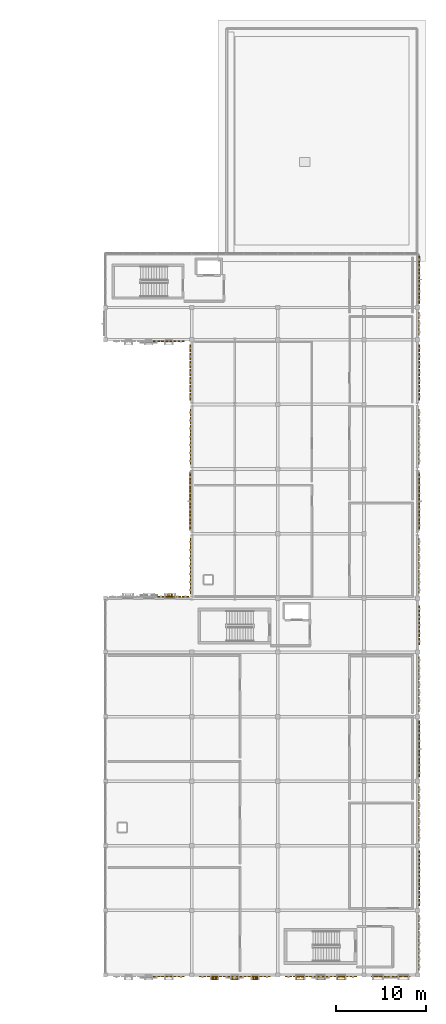
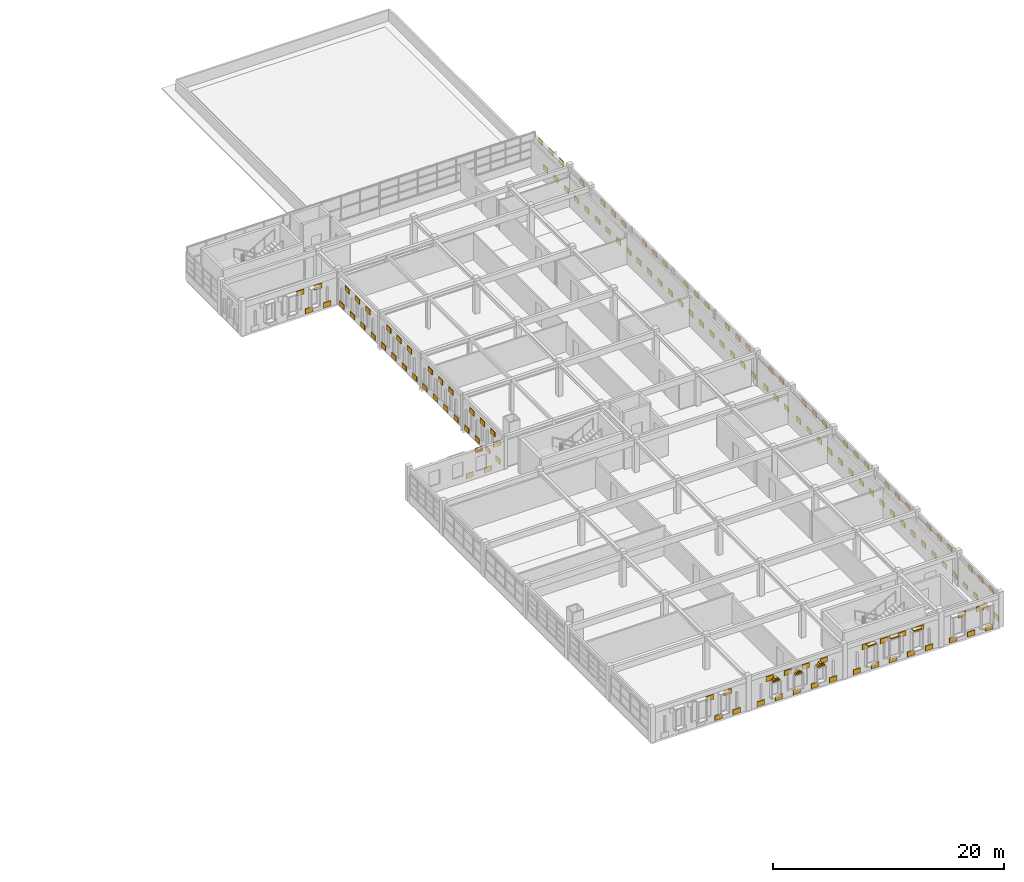
# One storey, part 53 of 53: 154 coverings.
"""IFC4 building model written with IfcOpenShell, lengths in metres."""

from ifc_helpers import new_model, si_unit, direction, frame, origin, origin_2d, place, context, subcontext, project, spatial, rectangle, extrude, material, layer, layer_set, type_object, element, save


model = new_model("IFC4")

# Units and contexts
model_context = context("Model", 3, precision=1e-05, world=origin(), true_north=direction((0.0, 1.0)))
body_context = subcontext(model_context, "Body", "Model", "MODEL_VIEW")
ifc_project = project(units=[si_unit("LENGTHUNIT", "METRE"), si_unit("AREAUNIT", "SQUARE_METRE"), si_unit("VOLUMEUNIT", "CUBIC_METRE"), si_unit("PLANEANGLEUNIT", "RADIAN"), si_unit("MASSUNIT", "GRAM", prefix="KILO")], contexts=[model_context])

# Site, building, storey
site_placement = place(None, origin())
site = spatial("IfcSite", under=ifc_project, at=site_placement, CompositionType="ELEMENT")
building_placement = place(site_placement, origin())
building = spatial("IfcBuilding", under=site, at=building_placement, Name="Nzembalo Square Collegiate School", CompositionType="ELEMENT")
storey_placement = place(building_placement, frame((0.0, 0.0, 13.60009765625)))
storey = spatial("IfcBuildingStorey", under=building, at=storey_placement, Name="L03", CompositionType="ELEMENT", Elevation=13.60009765625)

# Coverings
ifc_material_1 = material(Name="Glazed cobalt ceramic patterned tile")
ifc_layer_1 = layer(ifc_material_1, 0.074951171875, Name="Glazed cobalt ceramic patterned tile")
ifc_layer_set_1 = layer_set([ifc_layer_1], Name="Glazed cobalt ceramic patterned tile")
covering_type_1 = type_object("IfcCoveringType", Name="CL01", PredefinedType="CLADDING", material=ifc_layer_set_1)
for number, where, z_axis, x_axis, name in (
    (1, (136.9951171875, 50.56005859375, 0.099853515625), (0.0, 0.0, 1.0), (1.0, 0.0, 0.0), "Patterned ceramic tile CL01-X0198-6-0"),
    (2, (137.89501953125, 50.56005859375, 2.458984375), (0.0, 0.0, 1.0), (1.0, 0.0, 0.0), "Patterned ceramic tile CL01-X0198-7-1"),
    (3, (138.794921875, 50.56005859375, 0.099853515625), (0.0, 0.0, 1.0), (1.0, 0.0, 0.0), "Patterned ceramic tile CL01-X0198-8-0"),
    (4, (139.695068359375, 50.56005859375, 2.458984375), (0.0, 0.0, 1.0), (1.0, 0.0, 0.0), "Patterned ceramic tile CL01-X0198-9-1"),
):
    element("IfcCovering", number, at=place(storey_placement, frame(where, z_axis=z_axis, x_axis=x_axis)), inside=storey, type_object=covering_type_1, Name=name, PredefinedType="CLADDING", context=body_context, shape_type="SweptSolid", body=[
        extrude(rectangle(XDim=0.739990234375, YDim=0.074951171875, at=origin_2d()), origin(), (0.0, 0.0, 1.0), 0.52001953125),
    ])
for number, where, z_axis, x_axis, name in (
    (5, (140.25, 51.300048828125, 0.099853515625), (0.0, 0.0, 1.0), (1.0, 0.0, 0.0), "Patterned ceramic tile CL01-Y0199-0-0"),
    (6, (140.25, 52.199951171875, 2.458984375), (0.0, 0.0, 1.0), (1.0, 0.0, 0.0), "Patterned ceramic tile CL01-Y0199-1-1"),
    (7, (140.25, 53.10009765625, 0.099853515625), (0.0, 0.0, 1.0), (1.0, 0.0, 0.0), "Patterned ceramic tile CL01-Y0199-2-0"),
    (8, (140.25, 54.0, 2.458984375), (0.0, 0.0, 1.0), (1.0, 0.0, 0.0), "Patterned ceramic tile CL01-Y0199-3-1"),
    (9, (140.25, 54.89990234375, 0.099853515625), (0.0, 0.0, 1.0), (1.0, 0.0, 0.0), "Patterned ceramic tile CL01-Y0199-4-0"),
    (10, (140.25, 55.800048828125, 2.458984375), (0.0, 0.0, 1.0), (1.0, 0.0, 0.0), "Patterned ceramic tile CL01-Y0199-5-1"),
    (11, (140.25, 56.699951171875, 0.099853515625), (0.0, 0.0, 1.0), (1.0, 0.0, 0.0), "Patterned ceramic tile CL01-Y0199-6-0"),
    (12, (140.239990234375, 58.5, 0.099853515625), (0.0, 0.0, 1.0), (1.0, 0.0, 0.0), "Patterned ceramic tile CL01-Y0200-0-0"),
    (13, (140.239990234375, 59.39990234375, 2.458984375), (0.0, 0.0, 1.0), (1.0, 0.0, 0.0), "Patterned ceramic tile CL01-Y0200-1-1"),
    (14, (140.239990234375, 60.300048828125, 0.099853515625), (0.0, 0.0, 1.0), (1.0, 0.0, 0.0), "Patterned ceramic tile CL01-Y0200-2-0"),
    (15, (140.239990234375, 61.199951171875, 2.458984375), (0.0, 0.0, 1.0), (1.0, 0.0, 0.0), "Patterned ceramic tile CL01-Y0200-3-1"),
    (16, (140.239990234375, 62.10009765625, 0.099853515625), (0.0, 0.0, 1.0), (1.0, 0.0, 0.0), "Patterned ceramic tile CL01-Y0200-4-0"),
    (17, (140.239990234375, 63.0, 2.458984375), (0.0, 0.0, 1.0), (1.0, 0.0, 0.0), "Patterned ceramic tile CL01-Y0200-5-1"),
    (18, (140.239990234375, 63.89990234375, 0.099853515625), (0.0, 0.0, 1.0), (1.0, 0.0, 0.0), "Patterned ceramic tile CL01-Y0200-6-0"),
    (19, (140.25, 65.699951171875, 0.099853515625), (0.0, 0.0, 1.0), (1.0, 0.0, 0.0), "Patterned ceramic tile CL01-Y0201-0-0"),
    (20, (140.25, 66.60009765625, 2.458984375), (0.0, 0.0, 1.0), (1.0, 0.0, 0.0), "Patterned ceramic tile CL01-Y0201-1-1"),
    (21, (140.25, 67.5, 0.099853515625), (0.0, 0.0, 1.0), (1.0, 0.0, 0.0), "Patterned ceramic tile CL01-Y0201-2-0"),
    (22, (140.25, 68.39990234375, 2.458984375), (0.0, 0.0, 1.0), (1.0, 0.0, 0.0), "Patterned ceramic tile CL01-Y0201-3-1"),
    (23, (140.25, 69.300048828125, 0.099853515625), (0.0, 0.0, 1.0), (1.0, 0.0, 0.0), "Patterned ceramic tile CL01-Y0201-4-0"),
    (24, (140.25, 70.199951171875, 2.458984375), (0.0, 0.0, 1.0), (1.0, 0.0, 0.0), "Patterned ceramic tile CL01-Y0201-5-1"),
    (25, (140.25, 71.10009765625, 0.099853515625), (0.0, 0.0, 1.0), (1.0, 0.0, 0.0), "Patterned ceramic tile CL01-Y0201-6-0"),
    (26, (140.239990234375, 72.864990234375, 0.099853515625), (0.0, 0.0, 1.0), (1.0, 0.0, 0.0), "Patterned ceramic tile CL01-Y0202-0-0"),
    (27, (140.239990234375, 73.764892578125, 2.268798828125), (0.0, 0.0, 1.0), (1.0, 0.0, 0.0), "Patterned ceramic tile CL01-Y0202-1-1"),
    (28, (140.239990234375, 74.6650390625, 0.099853515625), (0.0, 0.0, 1.0), (1.0, 0.0, 0.0), "Patterned ceramic tile CL01-Y0202-2-0"),
    (29, (140.239990234375, 75.56494140625, 2.268798828125), (0.0, 0.0, 1.0), (1.0, 0.0, 0.0), "Patterned ceramic tile CL01-Y0202-3-1"),
    (30, (140.239990234375, 76.465087890625, 0.099853515625), (0.0, 0.0, 1.0), (1.0, 0.0, 0.0), "Patterned ceramic tile CL01-Y0202-4-0"),
    (31, (140.239990234375, 77.364990234375, 2.268798828125), (0.0, 0.0, 1.0), (1.0, 0.0, 0.0), "Patterned ceramic tile CL01-Y0202-5-1"),
    (32, (140.239990234375, 78.264892578125, 0.099853515625), (0.0, 0.0, 1.0), (1.0, 0.0, 0.0), "Patterned ceramic tile CL01-Y0202-6-0"),
):
    element("IfcCovering", number, at=place(storey_placement, frame(where, z_axis=z_axis, x_axis=x_axis)), inside=storey, type_object=covering_type_1, Name=name, PredefinedType="CLADDING", context=body_context, shape_type="SweptSolid", body=[
        extrude(rectangle(XDim=0.074951171875, YDim=0.739990234375, at=origin_2d()), origin(), (0.0, 0.0, 1.0), 0.52001953125),
    ])
for number, where, z_axis, x_axis, name in (
    (33, (136.5, 79.050048828125, 2.268798828125), (0.0, 0.0, 1.0), (1.0, 0.0, 0.0), "Patterned ceramic tile CL01-X0203-5-1"),
    (34, (137.39990234375, 79.050048828125, 0.099853515625), (0.0, 0.0, 1.0), (1.0, 0.0, 0.0), "Patterned ceramic tile CL01-X0203-6-0"),
    (35, (138.300048828125, 79.050048828125, 2.268798828125), (0.0, 0.0, 1.0), (1.0, 0.0, 0.0), "Patterned ceramic tile CL01-X0203-7-1"),
    (36, (139.199951171875, 79.050048828125, 0.099853515625), (0.0, 0.0, 1.0), (1.0, 0.0, 0.0), "Patterned ceramic tile CL01-X0203-8-0"),
):
    element("IfcCovering", number, at=place(storey_placement, frame(where, z_axis=z_axis, x_axis=x_axis)), inside=storey, type_object=covering_type_1, Name=name, PredefinedType="CLADDING", context=body_context, shape_type="SweptSolid", body=[
        extrude(rectangle(XDim=0.739990234375, YDim=0.074951171875, at=origin_2d()), origin(), (0.0, 0.0, 1.0), 0.52001953125),
    ])
for number, where, z_axis, x_axis, name in (
    (37, (165.75, 9.300048828125, 0.099853515625), (0.0, 0.0, 1.0), (1.0, 0.0, 0.0), "Patterned ceramic tile CL01-Y0205-0-0"),
    (38, (165.75, 10.199951171875, 2.428955078125), (0.0, 0.0, 1.0), (1.0, 0.0, 0.0), "Patterned ceramic tile CL01-Y0205-1-1"),
    (39, (165.75, 11.10009765625, 0.099853515625), (0.0, 0.0, 1.0), (1.0, 0.0, 0.0), "Patterned ceramic tile CL01-Y0205-2-0"),
    (40, (165.75, 12.0, 2.428955078125), (0.0, 0.0, 1.0), (1.0, 0.0, 0.0), "Patterned ceramic tile CL01-Y0205-3-1"),
    (41, (165.75, 12.89990234375, 0.099853515625), (0.0, 0.0, 1.0), (1.0, 0.0, 0.0), "Patterned ceramic tile CL01-Y0205-4-0"),
    (42, (165.75, 13.800048828125, 2.428955078125), (0.0, 0.0, 1.0), (1.0, 0.0, 0.0), "Patterned ceramic tile CL01-Y0205-5-1"),
    (43, (165.75, 14.699951171875, 0.099853515625), (0.0, 0.0, 1.0), (1.0, 0.0, 0.0), "Patterned ceramic tile CL01-Y0205-6-0"),
    (44, (165.760009765625, 16.5, 0.099853515625), (0.0, 0.0, 1.0), (1.0, 0.0, 0.0), "Patterned ceramic tile CL01-Y0206-0-0"),
    (45, (165.760009765625, 17.39990234375, 2.458984375), (0.0, 0.0, 1.0), (1.0, 0.0, 0.0), "Patterned ceramic tile CL01-Y0206-1-1"),
    (46, (165.760009765625, 18.300048828125, 0.099853515625), (0.0, 0.0, 1.0), (1.0, 0.0, 0.0), "Patterned ceramic tile CL01-Y0206-2-0"),
    (47, (165.760009765625, 19.199951171875, 2.458984375), (0.0, 0.0, 1.0), (1.0, 0.0, 0.0), "Patterned ceramic tile CL01-Y0206-3-1"),
    (48, (165.760009765625, 20.10009765625, 0.099853515625), (0.0, 0.0, 1.0), (1.0, 0.0, 0.0), "Patterned ceramic tile CL01-Y0206-4-0"),
    (49, (165.760009765625, 21.0, 2.458984375), (0.0, 0.0, 1.0), (1.0, 0.0, 0.0), "Patterned ceramic tile CL01-Y0206-5-1"),
    (50, (165.760009765625, 21.89990234375, 0.099853515625), (0.0, 0.0, 1.0), (1.0, 0.0, 0.0), "Patterned ceramic tile CL01-Y0206-6-0"),
    (51, (165.75, 23.699951171875, 0.099853515625), (0.0, 0.0, 1.0), (1.0, 0.0, 0.0), "Patterned ceramic tile CL01-Y0207-0-0"),
    (52, (165.75, 24.60009765625, 2.458984375), (0.0, 0.0, 1.0), (1.0, 0.0, 0.0), "Patterned ceramic tile CL01-Y0207-1-1"),
    (53, (165.75, 25.5, 0.099853515625), (0.0, 0.0, 1.0), (1.0, 0.0, 0.0), "Patterned ceramic tile CL01-Y0207-2-0"),
    (54, (165.75, 26.39990234375, 2.458984375), (0.0, 0.0, 1.0), (1.0, 0.0, 0.0), "Patterned ceramic tile CL01-Y0207-3-1"),
    (55, (165.75, 27.300048828125, 0.099853515625), (0.0, 0.0, 1.0), (1.0, 0.0, 0.0), "Patterned ceramic tile CL01-Y0207-4-0"),
    (56, (165.75, 28.199951171875, 2.458984375), (0.0, 0.0, 1.0), (1.0, 0.0, 0.0), "Patterned ceramic tile CL01-Y0207-5-1"),
    (57, (165.75, 29.10009765625, 0.099853515625), (0.0, 0.0, 1.0), (1.0, 0.0, 0.0), "Patterned ceramic tile CL01-Y0207-6-0"),
    (58, (165.760009765625, 30.89990234375, 0.099853515625), (0.0, 0.0, 1.0), (1.0, 0.0, 0.0), "Patterned ceramic tile CL01-Y0208-0-0"),
    (59, (165.760009765625, 31.800048828125, 2.458984375), (0.0, 0.0, 1.0), (1.0, 0.0, 0.0), "Patterned ceramic tile CL01-Y0208-1-1"),
    (60, (165.760009765625, 32.699951171875, 0.099853515625), (0.0, 0.0, 1.0), (1.0, 0.0, 0.0), "Patterned ceramic tile CL01-Y0208-2-0"),
    (61, (165.760009765625, 33.60009765625, 2.458984375), (0.0, 0.0, 1.0), (1.0, 0.0, 0.0), "Patterned ceramic tile CL01-Y0208-3-1"),
    (62, (165.760009765625, 34.5, 0.099853515625), (0.0, 0.0, 1.0), (1.0, 0.0, 0.0), "Patterned ceramic tile CL01-Y0208-4-0"),
    (63, (165.760009765625, 35.39990234375, 2.458984375), (0.0, 0.0, 1.0), (1.0, 0.0, 0.0), "Patterned ceramic tile CL01-Y0208-5-1"),
    (64, (165.760009765625, 36.300048828125, 0.099853515625), (0.0, 0.0, 1.0), (1.0, 0.0, 0.0), "Patterned ceramic tile CL01-Y0208-6-0"),
    (65, (165.75, 38.10009765625, 0.099853515625), (0.0, 0.0, 1.0), (1.0, 0.0, 0.0), "Patterned ceramic tile CL01-Y0209-0-0"),
    (66, (165.75, 39.0, 2.458984375), (0.0, 0.0, 1.0), (1.0, 0.0, 0.0), "Patterned ceramic tile CL01-Y0209-1-1"),
    (67, (165.75, 39.89990234375, 0.099853515625), (0.0, 0.0, 1.0), (1.0, 0.0, 0.0), "Patterned ceramic tile CL01-Y0209-2-0"),
    (68, (165.75, 40.800048828125, 2.458984375), (0.0, 0.0, 1.0), (1.0, 0.0, 0.0), "Patterned ceramic tile CL01-Y0209-3-1"),
    (69, (165.75, 41.699951171875, 0.099853515625), (0.0, 0.0, 1.0), (1.0, 0.0, 0.0), "Patterned ceramic tile CL01-Y0209-4-0"),
    (70, (165.75, 42.60009765625, 2.458984375), (0.0, 0.0, 1.0), (1.0, 0.0, 0.0), "Patterned ceramic tile CL01-Y0209-5-1"),
    (71, (165.75, 43.5, 0.099853515625), (0.0, 0.0, 1.0), (1.0, 0.0, 0.0), "Patterned ceramic tile CL01-Y0209-6-0"),
    (72, (165.760009765625, 45.60009765625, 0.099853515625), (0.0, 0.0, 1.0), (1.0, 0.0, 0.0), "Patterned ceramic tile CL01-Y0210-0-0"),
    (73, (165.760009765625, 46.5, 2.458984375), (0.0, 0.0, 1.0), (1.0, 0.0, 0.0), "Patterned ceramic tile CL01-Y0210-1-1"),
    (74, (165.760009765625, 47.39990234375, 0.099853515625), (0.0, 0.0, 1.0), (1.0, 0.0, 0.0), "Patterned ceramic tile CL01-Y0210-2-0"),
    (75, (165.760009765625, 48.300048828125, 2.458984375), (0.0, 0.0, 1.0), (1.0, 0.0, 0.0), "Patterned ceramic tile CL01-Y0210-3-1"),
    (76, (165.760009765625, 49.199951171875, 0.099853515625), (0.0, 0.0, 1.0), (1.0, 0.0, 0.0), "Patterned ceramic tile CL01-Y0210-4-0"),
    (77, (165.75, 51.3349609375, 0.099853515625), (0.0, 0.0, 1.0), (1.0, 0.0, 0.0), "Patterned ceramic tile CL01-Y0211-0-0"),
    (78, (165.75, 52.235107421875, 2.458984375), (0.0, 0.0, 1.0), (1.0, 0.0, 0.0), "Patterned ceramic tile CL01-Y0211-1-1"),
    (79, (165.75, 53.135009765625, 0.099853515625), (0.0, 0.0, 1.0), (1.0, 0.0, 0.0), "Patterned ceramic tile CL01-Y0211-2-0"),
    (80, (165.75, 54.034912109375, 2.458984375), (0.0, 0.0, 1.0), (1.0, 0.0, 0.0), "Patterned ceramic tile CL01-Y0211-3-1"),
    (81, (165.75, 54.93505859375, 0.099853515625), (0.0, 0.0, 1.0), (1.0, 0.0, 0.0), "Patterned ceramic tile CL01-Y0211-4-0"),
    (82, (165.75, 55.8349609375, 2.458984375), (0.0, 0.0, 1.0), (1.0, 0.0, 0.0), "Patterned ceramic tile CL01-Y0211-5-1"),
    (83, (165.75, 56.735107421875, 0.099853515625), (0.0, 0.0, 1.0), (1.0, 0.0, 0.0), "Patterned ceramic tile CL01-Y0211-6-0"),
    (84, (165.760009765625, 58.5, 0.099853515625), (0.0, 0.0, 1.0), (1.0, 0.0, 0.0), "Patterned ceramic tile CL01-Y0212-0-0"),
    (85, (165.760009765625, 59.39990234375, 2.60888671875), (0.0, 0.0, 1.0), (1.0, 0.0, 0.0), "Patterned ceramic tile CL01-Y0212-1-1"),
    (86, (165.760009765625, 60.300048828125, 0.099853515625), (0.0, 0.0, 1.0), (1.0, 0.0, 0.0), "Patterned ceramic tile CL01-Y0212-2-0"),
    (87, (165.760009765625, 61.199951171875, 2.60888671875), (0.0, 0.0, 1.0), (1.0, 0.0, 0.0), "Patterned ceramic tile CL01-Y0212-3-1"),
    (88, (165.760009765625, 62.10009765625, 0.099853515625), (0.0, 0.0, 1.0), (1.0, 0.0, 0.0), "Patterned ceramic tile CL01-Y0212-4-0"),
    (89, (165.760009765625, 63.0, 2.60888671875), (0.0, 0.0, 1.0), (1.0, 0.0, 0.0), "Patterned ceramic tile CL01-Y0212-5-1"),
    (90, (165.760009765625, 63.89990234375, 0.099853515625), (0.0, 0.0, 1.0), (1.0, 0.0, 0.0), "Patterned ceramic tile CL01-Y0212-6-0"),
    (91, (165.75, 65.699951171875, 0.099853515625), (0.0, 0.0, 1.0), (1.0, 0.0, 0.0), "Patterned ceramic tile CL01-Y0213-0-0"),
    (92, (165.75, 66.60009765625, 2.60888671875), (0.0, 0.0, 1.0), (1.0, 0.0, 0.0), "Patterned ceramic tile CL01-Y0213-1-1"),
    (93, (165.75, 67.5, 0.099853515625), (0.0, 0.0, 1.0), (1.0, 0.0, 0.0), "Patterned ceramic tile CL01-Y0213-2-0"),
    (94, (165.75, 68.39990234375, 2.60888671875), (0.0, 0.0, 1.0), (1.0, 0.0, 0.0), "Patterned ceramic tile CL01-Y0213-3-1"),
    (95, (165.75, 69.300048828125, 0.099853515625), (0.0, 0.0, 1.0), (1.0, 0.0, 0.0), "Patterned ceramic tile CL01-Y0213-4-0"),
    (96, (165.75, 70.199951171875, 2.60888671875), (0.0, 0.0, 1.0), (1.0, 0.0, 0.0), "Patterned ceramic tile CL01-Y0213-5-1"),
    (97, (165.75, 71.10009765625, 0.099853515625), (0.0, 0.0, 1.0), (1.0, 0.0, 0.0), "Patterned ceramic tile CL01-Y0213-6-0"),
    (98, (165.760009765625, 72.864990234375, 0.099853515625), (0.0, 0.0, 1.0), (1.0, 0.0, 0.0), "Patterned ceramic tile CL01-Y0214-0-0"),
    (99, (165.760009765625, 73.764892578125, 2.458984375), (0.0, 0.0, 1.0), (1.0, 0.0, 0.0), "Patterned ceramic tile CL01-Y0214-1-1"),
    (100, (165.760009765625, 74.6650390625, 0.099853515625), (0.0, 0.0, 1.0), (1.0, 0.0, 0.0), "Patterned ceramic tile CL01-Y0214-2-0"),
    (101, (165.760009765625, 75.56494140625, 2.458984375), (0.0, 0.0, 1.0), (1.0, 0.0, 0.0), "Patterned ceramic tile CL01-Y0214-3-1"),
    (102, (165.760009765625, 76.465087890625, 0.099853515625), (0.0, 0.0, 1.0), (1.0, 0.0, 0.0), "Patterned ceramic tile CL01-Y0214-4-0"),
    (103, (165.760009765625, 77.364990234375, 2.458984375), (0.0, 0.0, 1.0), (1.0, 0.0, 0.0), "Patterned ceramic tile CL01-Y0214-5-1"),
    (104, (165.760009765625, 78.264892578125, 0.099853515625), (0.0, 0.0, 1.0), (1.0, 0.0, 0.0), "Patterned ceramic tile CL01-Y0214-6-0"),
    (105, (165.75, 80.10009765625, 0.099853515625), (0.0, 0.0, 1.0), (1.0, 0.0, 0.0), "Patterned ceramic tile CL01-Y0215-0-0"),
    (106, (165.75, 81.0, 2.428955078125), (0.0, 0.0, 1.0), (1.0, 0.0, 0.0), "Patterned ceramic tile CL01-Y0215-1-1"),
    (107, (165.75, 81.89990234375, 0.099853515625), (0.0, 0.0, 1.0), (1.0, 0.0, 0.0), "Patterned ceramic tile CL01-Y0215-2-0"),
    (108, (165.760009765625, 83.6708984375, 0.099853515625), (0.0, 0.0, 1.0), (1.0, 0.0, 0.0), "Patterned ceramic tile CL01-Y0216-0-0"),
    (109, (165.760009765625, 84.571044921875, 2.428955078125), (0.0, 0.0, 1.0), (1.0, 0.0, 0.0), "Patterned ceramic tile CL01-Y0216-1-1"),
    (110, (165.760009765625, 85.470947265625, 0.099853515625), (0.0, 0.0, 1.0), (1.0, 0.0, 0.0), "Patterned ceramic tile CL01-Y0216-2-0"),
    (111, (165.760009765625, 86.37109375, 2.428955078125), (0.0, 0.0, 1.0), (1.0, 0.0, 0.0), "Patterned ceramic tile CL01-Y0216-3-1"),
    (112, (165.760009765625, 87.27099609375, 0.099853515625), (0.0, 0.0, 1.0), (1.0, 0.0, 0.0), "Patterned ceramic tile CL01-Y0216-4-0"),
    (113, (165.760009765625, 88.1708984375, 2.428955078125), (0.0, 0.0, 1.0), (1.0, 0.0, 0.0), "Patterned ceramic tile CL01-Y0216-5-1"),
):
    element("IfcCovering", number, at=place(storey_placement, frame(where, z_axis=z_axis, x_axis=x_axis)), inside=storey, type_object=covering_type_1, Name=name, PredefinedType="CLADDING", context=body_context, shape_type="SweptSolid", body=[
        extrude(rectangle(XDim=0.074951171875, YDim=0.739990234375, at=origin_2d()), origin(), (0.0, 0.0, 1.0), 0.52001953125),
    ])
for number, where, z_axis, x_axis, name in (
    (114, (136.5, 8.25, 2.428955078125), (0.0, 0.0, 1.0), (1.0, 0.0, 0.0), "Patterned ceramic tile CL01-X0217-5-1"),
    (115, (137.39990234375, 8.25, 0.099853515625), (0.0, 0.0, 1.0), (1.0, 0.0, 0.0), "Patterned ceramic tile CL01-X0217-6-0"),
    (116, (138.300048828125, 8.25, 2.428955078125), (0.0, 0.0, 1.0), (1.0, 0.0, 0.0), "Patterned ceramic tile CL01-X0217-7-1"),
    (117, (139.199951171875, 8.25, 0.099853515625), (0.0, 0.0, 1.0), (1.0, 0.0, 0.0), "Patterned ceramic tile CL01-X0217-8-0"),
    (118, (141.60009765625, 8.239990234375, 0.099853515625), (0.0, 0.0, 1.0), (1.0, 0.0, 0.0), "Patterned ceramic tile CL01-X0218-0-0"),
    (119, (142.5, 8.239990234375, 2.428955078125), (0.0, 0.0, 1.0), (1.0, 0.0, 0.0), "Patterned ceramic tile CL01-X0218-1-1"),
    (120, (143.39990234375, 8.239990234375, 0.099853515625), (0.0, 0.0, 1.0), (1.0, 0.0, 0.0), "Patterned ceramic tile CL01-X0218-2-0"),
    (121, (144.300048828125, 8.239990234375, 2.428955078125), (0.0, 0.0, 1.0), (1.0, 0.0, 0.0), "Patterned ceramic tile CL01-X0218-3-1"),
    (122, (145.199951171875, 8.239990234375, 0.099853515625), (0.0, 0.0, 1.0), (1.0, 0.0, 0.0), "Patterned ceramic tile CL01-X0218-4-0"),
    (123, (146.10009765625, 8.239990234375, 2.428955078125), (0.0, 0.0, 1.0), (1.0, 0.0, 0.0), "Patterned ceramic tile CL01-X0218-5-1"),
    (124, (147.0, 8.239990234375, 0.099853515625), (0.0, 0.0, 1.0), (1.0, 0.0, 0.0), "Patterned ceramic tile CL01-X0218-6-0"),
    (125, (147.89990234375, 8.239990234375, 2.428955078125), (0.0, 0.0, 1.0), (1.0, 0.0, 0.0), "Patterned ceramic tile CL01-X0218-7-1"),
    (126, (148.800048828125, 8.239990234375, 0.099853515625), (0.0, 0.0, 1.0), (1.0, 0.0, 0.0), "Patterned ceramic tile CL01-X0218-8-0"),
    (127, (151.199951171875, 8.25, 0.099853515625), (0.0, 0.0, 1.0), (1.0, 0.0, 0.0), "Patterned ceramic tile CL01-X0219-0-0"),
    (128, (152.10009765625, 8.25, 2.428955078125), (0.0, 0.0, 1.0), (1.0, 0.0, 0.0), "Patterned ceramic tile CL01-X0219-1-1"),
    (129, (153.0, 8.25, 0.099853515625), (0.0, 0.0, 1.0), (1.0, 0.0, 0.0), "Patterned ceramic tile CL01-X0219-2-0"),
    (130, (153.89990234375, 8.25, 2.428955078125), (0.0, 0.0, 1.0), (1.0, 0.0, 0.0), "Patterned ceramic tile CL01-X0219-3-1"),
    (131, (154.800048828125, 8.25, 0.099853515625), (0.0, 0.0, 1.0), (1.0, 0.0, 0.0), "Patterned ceramic tile CL01-X0219-4-0"),
    (132, (155.699951171875, 8.25, 2.428955078125), (0.0, 0.0, 1.0), (1.0, 0.0, 0.0), "Patterned ceramic tile CL01-X0219-5-1"),
    (133, (156.60009765625, 8.25, 0.099853515625), (0.0, 0.0, 1.0), (1.0, 0.0, 0.0), "Patterned ceramic tile CL01-X0219-6-0"),
    (134, (157.5, 8.25, 2.428955078125), (0.0, 0.0, 1.0), (1.0, 0.0, 0.0), "Patterned ceramic tile CL01-X0219-7-1"),
    (135, (158.39990234375, 8.25, 0.099853515625), (0.0, 0.0, 1.0), (1.0, 0.0, 0.0), "Patterned ceramic tile CL01-X0219-8-0"),
    (136, (160.800048828125, 8.239990234375, 0.099853515625), (0.0, 0.0, 1.0), (1.0, 0.0, 0.0), "Patterned ceramic tile CL01-X0220-0-0"),
    (137, (161.699951171875, 8.239990234375, 2.428955078125), (0.0, 0.0, 1.0), (1.0, 0.0, 0.0), "Patterned ceramic tile CL01-X0220-1-1"),
    (138, (162.60009765625, 8.239990234375, 0.099853515625), (0.0, 0.0, 1.0), (1.0, 0.0, 0.0), "Patterned ceramic tile CL01-X0220-2-0"),
    (139, (163.5, 8.239990234375, 2.428955078125), (0.0, 0.0, 1.0), (1.0, 0.0, 0.0), "Patterned ceramic tile CL01-X0220-3-1"),
    (140, (164.39990234375, 8.239990234375, 0.099853515625), (0.0, 0.0, 1.0), (1.0, 0.0, 0.0), "Patterned ceramic tile CL01-X0220-4-0"),
):
    element("IfcCovering", number, at=place(storey_placement, frame(where, z_axis=z_axis, x_axis=x_axis)), inside=storey, type_object=covering_type_1, Name=name, PredefinedType="CLADDING", context=body_context, shape_type="SweptSolid", body=[
        extrude(rectangle(XDim=0.739990234375, YDim=0.074951171875, at=origin_2d()), origin(), (0.0, 0.0, 1.0), 0.52001953125),
    ])
ifc_material_2 = material(Name="Glazed celadon ceramic window frame")
ifc_layer_2 = layer(ifc_material_2, 0.419921875, Name="Glazed celadon ceramic window frame")
ifc_layer_set_2 = layer_set([ifc_layer_2], Name="Glazed celadon ceramic window frame")
covering_type_2 = type_object("IfcCoveringType", Name="WF01", PredefinedType="CLADDING", material=ifc_layer_set_2)
covering_1_placement = place(storey_placement, frame((137.989013671875, 50.737548828125, 2.479736328125), z_axis=(0.0, 0.0, 1.0), x_axis=(1.0, 0.0, 0.0)))
element("IfcCovering", 141, at=covering_1_placement, inside=storey, type_object=covering_type_2, Name="Pointed lancet gable WF01-0534-2", PredefinedType="CLADDING", context=body_context, shape_type="SweptSolid", body=[
    extrude(rectangle(XDim=0.60009765625, YDim=0.419921875, at=origin_2d()), origin(), (0.0, 0.0, 1.0), 0.1201171875),
])
covering_2_placement = place(storey_placement, frame((137.989013671875, 50.737548828125, 2.599853515625), z_axis=(0.0, 0.0, 1.0), x_axis=(1.0, 0.0, 0.0)))
element("IfcCovering", 142, at=covering_2_placement, inside=storey, type_object=covering_type_2, Name="Pointed lancet gable WF01-0534-3", PredefinedType="CLADDING", context=body_context, shape_type="SweptSolid", body=[
    extrude(rectangle(XDim=0.27490234375, YDim=0.419921875, at=origin_2d()), origin(), (0.0, 0.0, 1.0), 0.1201171875),
])
covering_3_placement = place(storey_placement, frame((142.95361328125, 8.0625, 2.35986328125), z_axis=(0.0, 0.0, 1.0), x_axis=(1.0, 0.0, 0.0)))
element("IfcCovering", 143, at=covering_3_placement, inside=storey, type_object=covering_type_2, Name="Pointed lancet gable WF01-0670-1", PredefinedType="CLADDING", context=body_context, shape_type="SweptSolid", body=[
    extrude(rectangle(XDim=0.721923828125, YDim=0.419921875, at=origin_2d()), origin(), (0.0, 0.0, 1.0), 0.1201171875),
])
covering_4_placement = place(storey_placement, frame((142.95361328125, 8.0625, 2.479736328125), z_axis=(0.0, 0.0, 1.0), x_axis=(1.0, 0.0, 0.0)))
element("IfcCovering", 144, at=covering_4_placement, inside=storey, type_object=covering_type_2, Name="Pointed lancet gable WF01-0670-2", PredefinedType="CLADDING", context=body_context, shape_type="SweptSolid", body=[
    extrude(rectangle(XDim=0.4560546875, YDim=0.419921875, at=origin_2d()), origin(), (0.0, 0.0, 1.0), 0.1201171875),
])
covering_5_placement = place(storey_placement, frame((142.95361328125, 8.0625, 2.599853515625), z_axis=(0.0, 0.0, 1.0), x_axis=(1.0, 0.0, 0.0)))
element("IfcCovering", 145, at=covering_5_placement, inside=storey, type_object=covering_type_2, Name="Pointed lancet gable WF01-0670-3", PredefinedType="CLADDING", context=body_context, shape_type="SweptSolid", body=[
    extrude(rectangle(XDim=0.208984375, YDim=0.419921875, at=origin_2d()), origin(), (0.0, 0.0, 1.0), 0.1201171875),
])
covering_6_placement = place(storey_placement, frame((145.199951171875, 8.0625, 2.35986328125), z_axis=(0.0, 0.0, 1.0), x_axis=(1.0, 0.0, 0.0)))
element("IfcCovering", 146, at=covering_6_placement, inside=storey, type_object=covering_type_2, Name="Pointed lancet gable WF01-0671-1", PredefinedType="CLADDING", context=body_context, shape_type="SweptSolid", body=[
    extrude(rectangle(XDim=0.721923828125, YDim=0.419921875, at=origin_2d()), origin(), (0.0, 0.0, 1.0), 0.1201171875),
])
covering_7_placement = place(storey_placement, frame((145.199951171875, 8.0625, 2.479736328125), z_axis=(0.0, 0.0, 1.0), x_axis=(1.0, 0.0, 0.0)))
element("IfcCovering", 147, at=covering_7_placement, inside=storey, type_object=covering_type_2, Name="Pointed lancet gable WF01-0671-2", PredefinedType="CLADDING", context=body_context, shape_type="SweptSolid", body=[
    extrude(rectangle(XDim=0.4560546875, YDim=0.419921875, at=origin_2d()), origin(), (0.0, 0.0, 1.0), 0.1201171875),
])
covering_8_placement = place(storey_placement, frame((145.199951171875, 8.0625, 2.599853515625), z_axis=(0.0, 0.0, 1.0), x_axis=(1.0, 0.0, 0.0)))
element("IfcCovering", 148, at=covering_8_placement, inside=storey, type_object=covering_type_2, Name="Pointed lancet gable WF01-0671-3", PredefinedType="CLADDING", context=body_context, shape_type="SweptSolid", body=[
    extrude(rectangle(XDim=0.208984375, YDim=0.419921875, at=origin_2d()), origin(), (0.0, 0.0, 1.0), 0.1201171875),
])
covering_9_placement = place(storey_placement, frame((147.446533203125, 8.0625, 2.35986328125), z_axis=(0.0, 0.0, 1.0), x_axis=(1.0, 0.0, 0.0)))
element("IfcCovering", 149, at=covering_9_placement, inside=storey, type_object=covering_type_2, Name="Pointed lancet gable WF01-0672-1", PredefinedType="CLADDING", context=body_context, shape_type="SweptSolid", body=[
    extrude(rectangle(XDim=0.721923828125, YDim=0.419921875, at=origin_2d()), origin(), (0.0, 0.0, 1.0), 0.1201171875),
])
covering_10_placement = place(storey_placement, frame((147.446533203125, 8.0625, 2.479736328125), z_axis=(0.0, 0.0, 1.0), x_axis=(1.0, 0.0, 0.0)))
element("IfcCovering", 150, at=covering_10_placement, inside=storey, type_object=covering_type_2, Name="Pointed lancet gable WF01-0672-2", PredefinedType="CLADDING", context=body_context, shape_type="SweptSolid", body=[
    extrude(rectangle(XDim=0.4560546875, YDim=0.419921875, at=origin_2d()), origin(), (0.0, 0.0, 1.0), 0.1201171875),
])
covering_11_placement = place(storey_placement, frame((147.446533203125, 8.0625, 2.599853515625), z_axis=(0.0, 0.0, 1.0), x_axis=(1.0, 0.0, 0.0)))
element("IfcCovering", 151, at=covering_11_placement, inside=storey, type_object=covering_type_2, Name="Pointed lancet gable WF01-0672-3", PredefinedType="CLADDING", context=body_context, shape_type="SweptSolid", body=[
    extrude(rectangle(XDim=0.208984375, YDim=0.419921875, at=origin_2d()), origin(), (0.0, 0.0, 1.0), 0.1201171875),
])
for number, where, z_axis, x_axis, name in (
    (152, (152.51611328125, 8.072509765625, 2.809814453125), (0.0, 0.0, 1.0), (1.0, 0.0, 0.0), "Pointed lancet gable WF01-0673-1"),
    (153, (154.800048828125, 8.072509765625, 2.809814453125), (0.0, 0.0, 1.0), (1.0, 0.0, 0.0), "Pointed lancet gable WF01-0674-1"),
    (154, (157.083984375, 8.072509765625, 2.809814453125), (0.0, 0.0, 1.0), (1.0, 0.0, 0.0), "Pointed lancet gable WF01-0675-1"),
):
    element("IfcCovering", number, at=place(storey_placement, frame(where, z_axis=z_axis, x_axis=x_axis)), inside=storey, type_object=covering_type_2, Name=name, PredefinedType="CLADDING", context=body_context, shape_type="SweptSolid", body=[
        extrude(rectangle(XDim=0.8359375, YDim=0.419921875, at=origin_2d()), origin(), (0.0, 0.0, 1.0), 0.1201171875),
    ])

save(model, "model.ifc")
